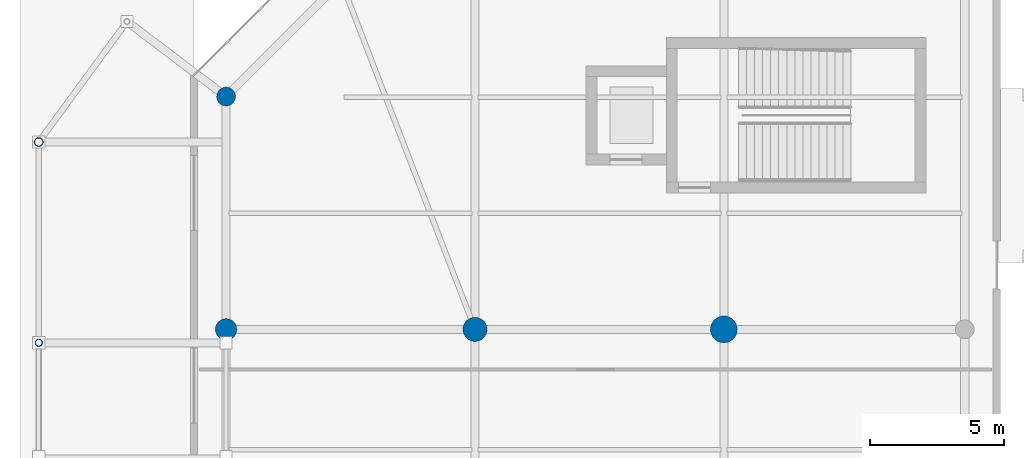
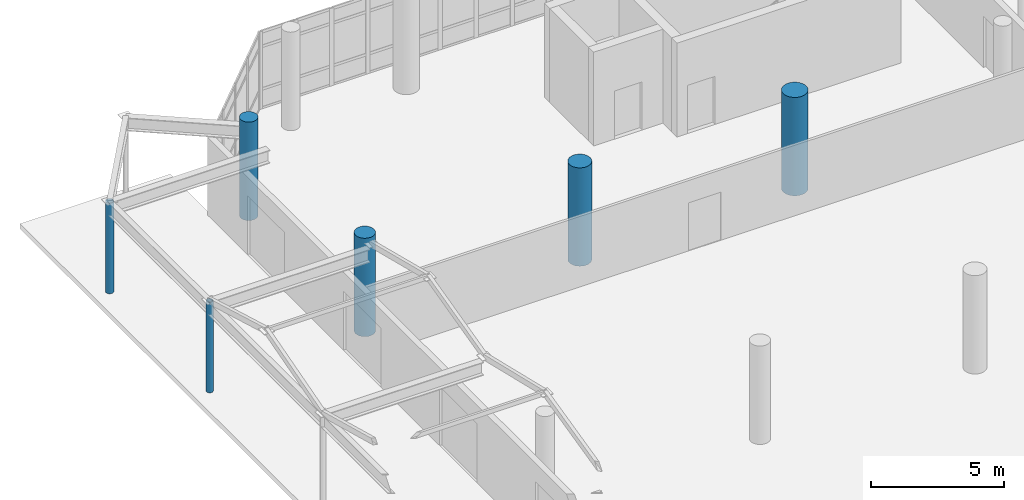
# One storey, part 10 of 122: 6 columns.
"""IFC4 building model written with IfcOpenShell, lengths in metres."""

import ifcopenshell
import ifcopenshell.guid

model = None  # the IFC model being written
_history = None  # IfcOwnerHistory: only IFC2X3 demands one
_inside = {}  # id of a spatial element -> (the spatial element, [elements in it])
_under = {}  # id of a project, library or spatial element -> (it, [spatial elements below it])
_declared = {}  # id of a project -> (the project, [libraries it declares])
_typed = {}  # id of a type object -> (the type object, [elements of that type])
_made_of = {}  # id of a material, layer set ... -> (it, [elements and type objects made of it])


def new_model(schema):
    """Start an empty IFC model of exactly this schema.

    Asked for "IFC4X3", IfcOpenShell would pick the latest addendum, in which some entities
    have other attributes; the version numbers below select the first issue.
    IFC2X3 requires an IfcOwnerHistory on every rooted entity: one is made here for all.
    """
    global model, _history
    if schema == "IFC4X3":
        model = ifcopenshell.file(schema_version=(4, 3, 0, 0))
    else:
        model = ifcopenshell.file(schema=schema)
    _inside.clear()
    _under.clear()
    _declared.clear()
    _typed.clear()
    _made_of.clear()
    _history = None
    if model.schema == "IFC2X3":
        org = make("IfcOrganization", Name="unknown")
        user = make(
            "IfcPersonAndOrganization",
            ThePerson=make("IfcPerson", FamilyName="unknown"),
            TheOrganization=org,
        )
        app = make(
            "IfcApplication",
            ApplicationDeveloper=org,
            Version="unknown",
            ApplicationFullName="unknown",
            ApplicationIdentifier="unknown",
        )
        _history = make(
            "IfcOwnerHistory",
            OwningUser=user,
            OwningApplication=app,
            ChangeAction="ADDED",
            CreationDate=0,
        )
    return model


def make(cls, **values):
    """One entity of the class cls with the attributes given. An attribute that is None is left unset."""
    return model.create_entity(
        cls, **{name: value for name, value in values.items() if value is not None}
    )


def rooted(cls, **values):
    """An entity with a GlobalId (a new one), such as an element, a storey or a relation."""
    return make(cls, GlobalId=ifcopenshell.guid.new(), OwnerHistory=_history, **values)


def si_unit(unit_type, name, prefix=None):
    """IfcSIUnit, for example si_unit("LENGTHUNIT", "METRE", prefix="MILLI")."""
    return make("IfcSIUnit", UnitType=unit_type, Prefix=prefix, Name=name)


def assignment(units):
    """IfcUnitAssignment: the units of a project."""
    return None if units is None else make("IfcUnitAssignment", Units=units)


def point(xyz):
    """IfcCartesianPoint."""
    return None if xyz is None else make("IfcCartesianPoint", Coordinates=xyz)


def direction(xyz):
    """IfcDirection."""
    return None if xyz is None else make("IfcDirection", DirectionRatios=xyz)


def frame(location, z_axis=None, x_axis=None):
    """IfcAxis2Placement3D, a coordinate frame: its origin and axes. An axis left out is left unset."""
    return make(
        "IfcAxis2Placement3D",
        Location=point(location),
        Axis=direction(z_axis),
        RefDirection=direction(x_axis),
    )


def frame_2d(location, x_axis=None):
    """IfcAxis2Placement2D, a coordinate frame in the plane: its origin and x axis."""
    return make(
        "IfcAxis2Placement2D", Location=point(location), RefDirection=direction(x_axis)
    )


def origin():
    """The frame at (0, 0, 0) with its axes left unset."""
    return frame((0.0, 0.0, 0.0))


def origin_2d():
    """The frame at (0, 0) in the plane with its x axis left unset."""
    return frame_2d((0.0, 0.0))


def place(relative_to, where):
    """IfcLocalPlacement: puts the frame where relative to a parent placement (None: the world)."""
    return make(
        "IfcLocalPlacement", PlacementRelTo=relative_to, RelativePlacement=where
    )


def context(
    kind, dimensions, precision=None, world=None, true_north=None, identifier=None
):
    """IfcGeometricRepresentationContext, for example the 3D "Model" context."""
    return make(
        "IfcGeometricRepresentationContext",
        ContextIdentifier=identifier,
        ContextType=kind,
        CoordinateSpaceDimension=dimensions,
        Precision=precision,
        WorldCoordinateSystem=world,
        TrueNorth=true_north,
    )


def subcontext(parent, identifier, kind, view, scale=None):
    """IfcGeometricRepresentationSubContext, for example "Body" below "Model"."""
    return make(
        "IfcGeometricRepresentationSubContext",
        ContextIdentifier=identifier,
        ContextType=kind,
        ParentContext=parent,
        TargetScale=scale,
        TargetView=view,
    )


def project(units=None, contexts=None):
    """IfcProject with its units and contexts."""
    return rooted(
        "IfcProject",
        Name="project",
        RepresentationContexts=contexts,
        UnitsInContext=assignment(units),
    )


def spatial(cls, under=None, at=None, **own):
    """A site, building, storey or space (cls), placed at a placement, below another one or the project."""
    s = rooted(cls, ObjectPlacement=at, **own)
    if under is not None:
        _under.setdefault(under.id(), (under, []))[1].append(s)
    return s


def profile(cls, at=None, kind="AREA", **sizes):
    """A parametric profile (cls). Its sizes go by their IFC names, for example OverallWidth=200.0."""
    return make(cls, ProfileType=kind, Position=at, **sizes)


def circle(**sizes):
    """IfcCircleProfileDef."""
    return profile("IfcCircleProfileDef", **sizes)


def hollow_circle(**sizes):
    """IfcCircleHollowProfileDef."""
    return profile("IfcCircleHollowProfileDef", **sizes)


def extrude(swept, where, along, depth):
    """IfcExtrudedAreaSolid: the profile swept, set in the frame where, extruded along a direction by depth."""
    return make(
        "IfcExtrudedAreaSolid",
        SweptArea=swept,
        Position=where,
        ExtrudedDirection=direction(along),
        Depth=depth,
    )


def shape(context_of_items, identifier, shape_type, items):
    """IfcShapeRepresentation: the items that make up one representation, for example the "Body"."""
    return make(
        "IfcShapeRepresentation",
        ContextOfItems=context_of_items,
        RepresentationIdentifier=identifier,
        RepresentationType=shape_type,
        Items=items,
    )


def material(Name=None, Category=None):
    """IfcMaterial."""
    return make("IfcMaterial", Name=Name, Category=Category)


def material_profile(
    of_material, cross_section, Name=None, Category=None, Priority=None
):
    """IfcMaterialProfile: a cross section and its material."""
    return make(
        "IfcMaterialProfile",
        Name=Name,
        Material=of_material,
        Profile=cross_section,
        Priority=Priority,
        Category=Category,
    )


def profile_set(profiles, Name=None, composite=None):
    """IfcMaterialProfileSet."""
    return make(
        "IfcMaterialProfileSet",
        Name=Name,
        MaterialProfiles=profiles,
        CompositeProfile=composite,
    )


def made_of(thing, what):
    """Note that an element or type object is made of a material, layer set ...; save() writes the relation."""
    if what is not None:
        _made_of.setdefault(what.id(), (what, []))[1].append(thing)
    return thing


def type_object(cls, material=None, **own):
    """A type object (cls), such as IfcWallType, which elements share."""
    return made_of(rooted(cls, **own), material)


def element(
    cls,
    number,
    at=None,
    inside=None,
    cuts=None,
    type_object=None,
    material=None,
    context=None,
    identifier="Body",
    shape_type=None,
    held_by="IfcProductDefinitionShape",
    body=None,
    shapes=None,
    **own,
):
    """One element of the class cls, such as IfcWall. Its Tag is "e" and its number.

    at: its placement. inside: the storey or other place that contains it. cuts: it is an
    opening in that element (IfcRelVoidsElement). A single representation is given by context,
    identifier, shape_type and body (its items); several are given by shapes. held_by: the class
    of the entity that holds the representations. save() writes the other relations.
    """
    e = rooted(cls, Tag="e%d" % number, ObjectPlacement=at, **own)
    if body is not None:
        shapes = [shape(context, identifier, shape_type, body)]
    if shapes is not None:
        e.Representation = make(held_by, Representations=shapes)
    if inside is not None:
        _inside.setdefault(inside.id(), (inside, []))[1].append(e)
    if cuts is not None:
        rooted(
            "IfcRelVoidsElement", RelatingBuildingElement=cuts, RelatedOpeningElement=e
        )
    if type_object is not None:
        _typed.setdefault(type_object.id(), (type_object, []))[1].append(e)
    return made_of(e, material)


def aggregate(whole, parts):
    """IfcRelAggregates: a whole, such as a stair, and the parts it consists of."""
    return rooted("IfcRelAggregates", RelatingObject=whole, RelatedObjects=parts)


def save(model, path):
    """Write the relations noted so far, then the file.

    IfcRelAggregates (storeys below a building ...), IfcRelContainedInSpatialStructure (elements
    in a storey), IfcRelDefinesByType, IfcRelAssociatesMaterial and IfcRelDeclares: one each for
    every whole, place, type object, material and project.
    """
    for whole, parts in _under.values():
        aggregate(whole, parts)
    for where, things in _inside.values():
        rooted(
            "IfcRelContainedInSpatialStructure",
            RelatedElements=things,
            RelatingStructure=where,
        )
    for kind, things in _typed.values():
        rooted("IfcRelDefinesByType", RelatedObjects=things, RelatingType=kind)
    for what, things in _made_of.values():
        rooted("IfcRelAssociatesMaterial", RelatedObjects=things, RelatingMaterial=what)
    for by, libraries in _declared.values():
        rooted("IfcRelDeclares", RelatingContext=by, RelatedDefinitions=libraries)
    model.write(path)


model = new_model("IFC4")

# Units and contexts
model_context = context("Model", 3, precision=1e-05, world=origin(), true_north=direction((0.0, 1.0)))
body_context = subcontext(model_context, "Body", "Model", "MODEL_VIEW")
ifc_project = project(units=[si_unit("LENGTHUNIT", "METRE"), si_unit("AREAUNIT", "SQUARE_METRE"), si_unit("VOLUMEUNIT", "CUBIC_METRE"), si_unit("PLANEANGLEUNIT", "RADIAN"), si_unit("MASSUNIT", "GRAM", prefix="KILO")], contexts=[model_context])

# Site, building, storey
site_placement = place(None, origin())
site = spatial("IfcSite", under=ifc_project, at=site_placement, CompositionType="ELEMENT")
building_placement = place(site_placement, origin())
building = spatial("IfcBuilding", under=site, at=building_placement, Name="Sohan Crest Arena", CompositionType="ELEMENT")
storey_placement = place(building_placement, origin())
storey = spatial("IfcBuildingStorey", under=building, at=storey_placement, Name="L00", CompositionType="ELEMENT", Elevation=0.0)

# Columns
ifc_material_1 = material(Name="Concrete C40/50", Category="concrete")
ifc_material_profile_1 = material_profile(ifc_material_1, circle(Radius=0.35009765625, at=origin_2d()), Name="RC D700")
ifc_profile_set_1 = profile_set([ifc_material_profile_1], Name="Concrete C40/50")
column_type_1 = type_object("IfcColumnType", Name="STR-COL-C13", PredefinedType="COLUMN", material=ifc_profile_set_1)
column_1_placement = place(storey_placement, frame((15.199951171875, 100.199951171875, 0.0), z_axis=(0.0, 0.0, 1.0), x_axis=(1.0, 0.0, 0.0)))
element("IfcColumn", 1, at=column_1_placement, inside=storey, type_object=column_type_1, Name="Structural column COL-V3CH-3-L00", PredefinedType="COLUMN", context=body_context, shape_type="SweptSolid", body=[
    extrude(circle(Radius=0.35009765625, at=origin_2d()), origin(), (0.0, 0.0, 1.0), 4.5),
])
ifc_material_profile_2 = material_profile(ifc_material_1, circle(Radius=0.39990234375, at=origin_2d()), Name="RC D800")
ifc_profile_set_2 = profile_set([ifc_material_profile_2], Name="Concrete C40/50")
column_type_2 = type_object("IfcColumnType", Name="STR-COL-C14", PredefinedType="COLUMN", material=ifc_profile_set_2)
column_2_placement = place(storey_placement, frame((15.199951171875, 91.5, 0.0), z_axis=(0.0, 0.0, 1.0), x_axis=(1.0, 0.0, 0.0)))
element("IfcColumn", 2, at=column_2_placement, inside=storey, type_object=column_type_2, Name="Structural column COL-V3C-14-L00", PredefinedType="COLUMN", context=body_context, shape_type="SweptSolid", body=[
    extrude(circle(Radius=0.39990234375, at=origin_2d()), origin(), (0.0, 0.0, 1.0), 4.5),
])
ifc_material_profile_3 = material_profile(ifc_material_1, circle(Radius=0.449951171875, at=origin_2d()), Name="RC D900")
ifc_profile_set_3 = profile_set([ifc_material_profile_3], Name="Concrete C40/50")
column_type_3 = type_object("IfcColumnType", Name="STR-COL-C15", PredefinedType="COLUMN", material=ifc_profile_set_3)
column_3_placement = place(storey_placement, frame((24.5, 91.5, 0.0), z_axis=(0.0, 0.0, 1.0), x_axis=(1.0, 0.0, 0.0)))
element("IfcColumn", 3, at=column_3_placement, inside=storey, type_object=column_type_3, Name="Structural column COL-V3C-24-L00", PredefinedType="COLUMN", context=body_context, shape_type="SweptSolid", body=[
    extrude(circle(Radius=0.449951171875, at=origin_2d()), origin(), (0.0, 0.0, 1.0), 4.5),
])
ifc_material_profile_4 = material_profile(ifc_material_1, circle(Radius=0.5, at=origin_2d()), Name="RC D1000")
ifc_profile_set_4 = profile_set([ifc_material_profile_4], Name="Concrete C40/50")
column_type_4 = type_object("IfcColumnType", Name="STR-COL-C16", PredefinedType="COLUMN", material=ifc_profile_set_4)
column_4_placement = place(storey_placement, frame((33.800048828125, 91.5, 0.0), z_axis=(0.0, 0.0, 1.0), x_axis=(1.0, 0.0, 0.0)))
element("IfcColumn", 4, at=column_4_placement, inside=storey, type_object=column_type_4, Name="Structural column COL-V3C-34-L00", PredefinedType="COLUMN", context=body_context, shape_type="SweptSolid", body=[
    extrude(circle(Radius=0.5, at=origin_2d()), origin(), (0.0, 0.0, 1.0), 4.5),
])
ifc_material_2 = material(Name="Steel S355", Category="steel")
ifc_material_profile_5 = material_profile(ifc_material_2, hollow_circle(Radius=0.136474609375, WallThickness=0.012451171875, at=origin_2d()), Name="CHS 273x12.5")
ifc_profile_set_5 = profile_set([ifc_material_profile_5], Name="Steel S355")
column_type_5 = type_object("IfcColumnType", Name="STR-COL-C25", PredefinedType="COLUMN", material=ifc_profile_set_5)
column_5_placement = place(storey_placement, frame((8.199951171875, 91.0, 0.0), z_axis=(0.0, 0.0, 1.0), x_axis=(1.0, 0.0, 0.0)))
element("IfcColumn", 5, at=column_5_placement, inside=storey, type_object=column_type_5, Name="Structural column COL-V3P-04-L00", PredefinedType="COLUMN", context=body_context, shape_type="SweptSolid", body=[
    extrude(hollow_circle(Radius=0.136474609375, WallThickness=0.012451171875, at=origin_2d()), origin(), (0.0, 0.0, 1.0), 4.139892578125),
])
ifc_material_profile_6 = material_profile(ifc_material_2, hollow_circle(Radius=0.161865234375, WallThickness=0.012451171875, at=origin_2d()), Name="CHS 323.9x12.5")
ifc_profile_set_6 = profile_set([ifc_material_profile_6], Name="Steel S355")
column_type_6 = type_object("IfcColumnType", Name="STR-COL-C26", PredefinedType="COLUMN", material=ifc_profile_set_6)
column_6_placement = place(storey_placement, frame((8.199951171875, 98.5, 0.0), z_axis=(0.0, 0.0, 1.0), x_axis=(1.0, 0.0, 0.0)))
element("IfcColumn", 6, at=column_6_placement, inside=storey, type_object=column_type_6, Name="Structural column COL-V3P-08-L00", PredefinedType="COLUMN", context=body_context, shape_type="SweptSolid", body=[
    extrude(hollow_circle(Radius=0.161865234375, WallThickness=0.012451171875, at=origin_2d()), origin(), (0.0, 0.0, 1.0), 4.139892578125),
])

save(model, "model.ifc")
